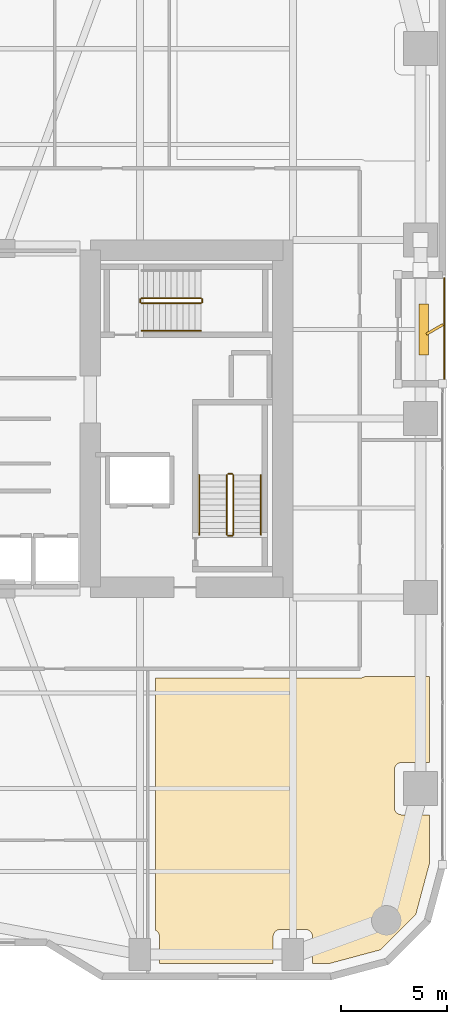
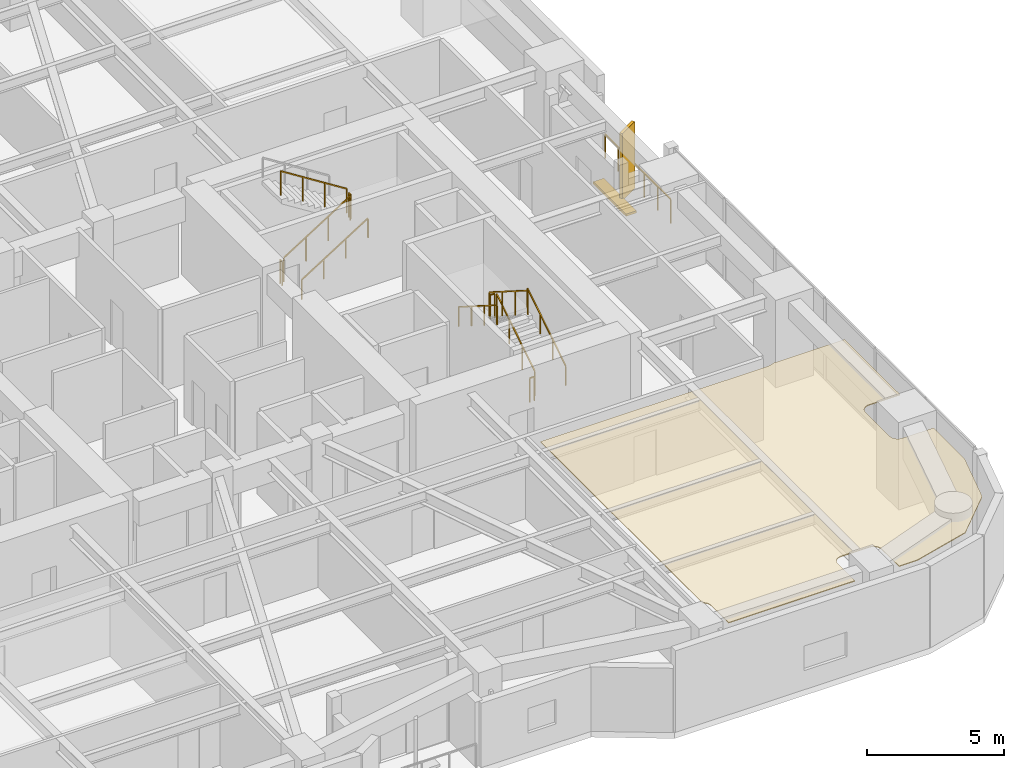
# One storey, part 23 of 24: 12 railings, 2 shading devices, 1 covering.
"""IFC4 building model written with IfcOpenShell, lengths in metres."""

from ifc_helpers import new_model, si_unit, direction, frame, origin, origin_2d, place, context, subcontext, project, spatial, polyline, rectangle, outline, extrude, material, layer, layer_set, type_object, element, save


model = new_model("IFC4")

# Units and contexts
model_context = context("Model", 3, precision=1e-05, world=origin(), true_north=direction((0.0, 1.0)))
body_context = subcontext(model_context, "Body", "Model", "MODEL_VIEW")
ifc_project = project(units=[si_unit("LENGTHUNIT", "METRE"), si_unit("AREAUNIT", "SQUARE_METRE"), si_unit("VOLUMEUNIT", "CUBIC_METRE"), si_unit("PLANEANGLEUNIT", "RADIAN"), si_unit("MASSUNIT", "GRAM", prefix="KILO")], contexts=[model_context])

# Site, building, storey
site_placement = place(None, origin())
site = spatial("IfcSite", under=ifc_project, at=site_placement, CompositionType="ELEMENT")
building_placement = place(site_placement, origin())
building = spatial("IfcBuilding", under=site, at=building_placement, Name="Kiyonajd Concourse Tower", CompositionType="ELEMENT")
storey_placement = place(building_placement, frame((0.0, 0.0, 85.800048828125)))
storey = spatial("IfcBuildingStorey", under=building, at=storey_placement, Name="L22", CompositionType="ELEMENT", Elevation=85.800048828125)

# Covering
ifc_material_1 = material(Name="Natural Oak Acoustic Timber Veneer", Category="wood")
ifc_layer = layer(ifc_material_1, 0.0400390625)
ifc_layer_set = layer_set([ifc_layer], Name="Natural Oak Acoustic Timber Veneer")
covering_type = type_object("IfcCoveringType", Name="CV-CLG-ACST", PredefinedType="CEILING", material=ifc_layer_set)
covering_placement = place(storey_placement, frame((0.0, 0.0, 3.4599609375)))
element("IfcCovering", 1, at=covering_placement, inside=storey, type_object=covering_type, Name="L22-45 Room Acoustic Ceiling", PredefinedType="CEILING", context=body_context, shape_type="SweptSolid", body=[
    extrude(outline(polyline([(57.139892578125, 11.94091796875), (57.139892578125, 23.800048828125), (66.75, 23.800048828125), (66.8798828125, 23.820068359375), (66.943115234375, 23.845947265625), (66.998046875, 23.8798828125), (70.030029296875, 23.8798828125), (70.030029296875, 19.830078125), (68.719970703125, 19.830078125), (68.652099609375, 19.822998046875), (68.5859375, 19.802978515625), (68.52587890625, 19.77099609375), (68.448974609375, 19.701904296875), (68.410888671875, 19.64501953125), (68.385009765625, 19.58203125), (68.3701171875, 19.47998046875), (68.3701171875, 17.719970703125), (68.385009765625, 17.617919921875), (68.410888671875, 17.554931640625), (68.448974609375, 17.498046875), (68.498046875, 17.448974609375), (68.554931640625, 17.410888671875), (68.617919921875, 17.385009765625), (68.68603515625, 17.3720703125), (70.030029296875, 17.3701171875), (70.030029296875, 15.10107421875), (69.385986328125, 12.697998046875), (67.701904296875, 11.013916015625), (65.299072265625, 10.3701171875), (64.530029296875, 10.3701171875), (64.528076171875, 11.6640625), (64.514892578125, 11.73193359375), (64.489013671875, 11.794921875), (64.427001953125, 11.876953125), (64.344970703125, 11.93896484375), (64.281982421875, 11.965087890625), (64.214111328125, 11.97802734375), (62.986083984375, 11.97802734375), (62.885986328125, 11.952880859375), (62.798095703125, 11.90087890625), (62.7490234375, 11.85205078125), (62.7109375, 11.794921875), (62.677001953125, 11.697998046875), (62.669921875, 11.6298828125), (62.669921875, 10.3701171875), (57.330078125, 10.3701171875), (57.327880859375, 11.6640625), (57.302978515625, 11.763916015625), (57.27099609375, 11.823974609375), (57.201904296875, 11.90087890625), (57.139892578125, 11.94091796875)])), origin(), (0.0, 0.0, 1.0), 0.0400390625),
])

# Railings
ifc_material_2 = material(Name="Thermally Broken Anodised Aluminium", Category="aluminium")
railing_type_1 = type_object("IfcRailingType", Name="RL-GRD-LOG", PredefinedType="GUARDRAIL", material=ifc_material_2)
railing_1_placement = place(storey_placement, frame((70.719970703125, 37.800048828125, 0.0)))
element("IfcRailing", 2, at=railing_1_placement, inside=storey, type_object=railing_type_1, Name="L22 Engawa Loggia Perimeter Guard LOG-E", PredefinedType="GUARDRAIL", context=body_context, shape_type="SweptSolid", body=[
    extrude(rectangle(XDim=0.048095703125, YDim=0.048095703125, at=origin_2d()), frame((0.0, 0.0, 1.076171875), z_axis=(0.0, 1.0, 0.0), x_axis=(-1.0, 0.0, 0.0)), (0.0, 0.0, 1.0), 4.800048828125),
    extrude(rectangle(XDim=0.0419921875, YDim=0.0419921875, at=origin_2d()), origin(), (0.0, 0.0, 1.0), 1.052001953125),
    extrude(rectangle(XDim=0.0419921875, YDim=0.0419921875, at=origin_2d()), frame((0.0, 0.9599609375, 0.0)), (0.0, 0.0, 1.0), 1.052001953125),
    extrude(rectangle(XDim=0.0419921875, YDim=0.0419921875, at=origin_2d()), frame((0.0, 1.919921875, 0.0)), (0.0, 0.0, 1.0), 1.052001953125),
    extrude(rectangle(XDim=0.0419921875, YDim=0.0419921875, at=origin_2d()), frame((0.0, 2.880126953125, 0.0)), (0.0, 0.0, 1.0), 1.052001953125),
    extrude(rectangle(XDim=0.0419921875, YDim=0.0419921875, at=origin_2d()), frame((0.0, 3.840087890625, 0.0)), (0.0, 0.0, 1.0), 1.052001953125),
    extrude(rectangle(XDim=0.0419921875, YDim=0.0419921875, at=origin_2d()), frame((0.0, 4.800048828125, 0.0)), (0.0, 0.0, 1.0), 1.052001953125),
])
ifc_material_3 = material(Name="Steel ASTM A500 Grade C", Category="steel")
railing_type_2 = type_object("IfcRailingType", Name="RL-GRD-STR", PredefinedType="GUARDRAIL", material=ifc_material_3)
railing_2_placement = place(storey_placement, frame((60.800048828125, 30.550048828125, 0.17724609375)))
element("IfcRailing", 3, at=railing_2_placement, inside=storey, type_object=railing_type_2, Name="L22 ST2 stair guard 1", PredefinedType="GUARDRAIL", context=body_context, shape_type="SweptSolid", body=[
    extrude(rectangle(XDim=0.048095703125, YDim=0.048095703125, at=origin_2d()), frame((0.0, 0.0, 1.076171875), z_axis=(0.0, 0.844908973607, 0.534910110503), x_axis=(-1.0, 0.0, 0.0)), (0.0, 0.0, 1.0), 3.31396484375),
    extrude(rectangle(XDim=0.0419921875, YDim=0.0419921875, at=origin_2d()), origin(), (0.0, 0.0, 1.0), 1.052001953125),
    extrude(rectangle(XDim=0.0419921875, YDim=0.0419921875, at=origin_2d()), frame((0.0, 0.933349609375, 0.5908203125)), (0.0, 0.0, 1.0), 1.052001953125),
    extrude(rectangle(XDim=0.0419921875, YDim=0.0419921875, at=origin_2d()), frame((0.0, 1.86669921875, 1.181884765625)), (0.0, 0.0, 1.0), 1.052001953125),
    extrude(rectangle(XDim=0.0419921875, YDim=0.0419921875, at=origin_2d()), frame((0.0, 2.800048828125, 1.772705078125)), (0.0, 0.0, 1.0), 1.052001953125),
])
railing_3_placement = place(storey_placement, frame((60.75, 33.39990234375, 1.949951171875)))
element("IfcRailing", 4, at=railing_3_placement, inside=storey, type_object=railing_type_2, Name="L22 ST2 stair guard 2", PredefinedType="GUARDRAIL", context=body_context, shape_type="SweptSolid", body=[
    extrude(rectangle(XDim=0.048095703125, YDim=0.048095703125, at=origin_2d()), frame((0.0, 0.0, 1.076171875), z_axis=(-1.0, 0.0, 0.0), x_axis=(0.0, -1.0, 0.0)), (0.0, 0.0, 1.0), 0.199951171875),
    extrude(rectangle(XDim=0.0419921875, YDim=0.0419921875, at=origin_2d()), origin(), (0.0, 0.0, 1.0), 1.052001953125),
    extrude(rectangle(XDim=0.0419921875, YDim=0.0419921875, at=origin_2d()), frame((-0.199951171875, 0.0, 0.0)), (0.0, 0.0, 1.0), 1.052001953125),
])
railing_4_placement = place(storey_placement, frame((60.5, 33.35009765625, 2.127197265625)))
element("IfcRailing", 5, at=railing_4_placement, inside=storey, type_object=railing_type_2, Name="L22 ST2 stair guard 3", PredefinedType="GUARDRAIL", context=body_context, shape_type="SweptSolid", body=[
    extrude(rectangle(XDim=0.048095703125, YDim=0.048095703125, at=origin_2d()), frame((0.0, 0.0, 1.076171875), z_axis=(0.0, -0.844908973607, 0.534910110503), x_axis=(1.0, 0.0, 0.0)), (0.0, 0.0, 1.0), 3.31396484375),
    extrude(rectangle(XDim=0.0419921875, YDim=0.0419921875, at=origin_2d()), origin(), (0.0, 0.0, 1.0), 1.052001953125),
    extrude(rectangle(XDim=0.0419921875, YDim=0.0419921875, at=origin_2d()), frame((0.0, -0.933349609375, 0.5908203125)), (0.0, 0.0, 1.0), 1.052001953125),
    extrude(rectangle(XDim=0.0419921875, YDim=0.0419921875, at=origin_2d()), frame((0.0, -1.86669921875, 1.181884765625)), (0.0, 0.0, 1.0), 1.052001953125),
    extrude(rectangle(XDim=0.0419921875, YDim=0.0419921875, at=origin_2d()), frame((0.0, -2.800048828125, 1.772705078125)), (0.0, 0.0, 1.0), 1.052001953125),
])
railing_5_placement = place(storey_placement, frame((60.75, 30.5, 0.0)))
element("IfcRailing", 6, at=railing_5_placement, inside=storey, type_object=railing_type_2, Name="L22 ST2 stair guard 4", PredefinedType="GUARDRAIL", context=body_context, shape_type="SweptSolid", body=[
    extrude(rectangle(XDim=0.048095703125, YDim=0.048095703125, at=origin_2d()), frame((0.0, 0.0, 1.076171875), z_axis=(-1.0, 0.0, 0.0), x_axis=(0.0, -1.0, 0.0)), (0.0, 0.0, 1.0), 0.199951171875),
    extrude(rectangle(XDim=0.0419921875, YDim=0.0419921875, at=origin_2d()), origin(), (0.0, 0.0, 1.0), 1.052001953125),
    extrude(rectangle(XDim=0.0419921875, YDim=0.0419921875, at=origin_2d()), frame((-0.199951171875, 0.0, 0.0)), (0.0, 0.0, 1.0), 1.052001953125),
])
railing_6_placement = place(storey_placement, frame((56.47998046875, 41.429931640625, 0.17724609375)))
element("IfcRailing", 7, at=railing_6_placement, inside=storey, type_object=railing_type_2, Name="L22 ST3 stair guard 1", PredefinedType="GUARDRAIL", context=body_context, shape_type="SweptSolid", body=[
    extrude(rectangle(XDim=0.048095703125, YDim=0.048095703125, at=origin_2d()), frame((0.0, 0.0, 1.076171875), z_axis=(0.844908973607, 0.0, 0.534910110503), x_axis=(0.0, 1.0, 0.0)), (0.0, 0.0, 1.0), 3.31396484375),
    extrude(rectangle(XDim=0.0419921875, YDim=0.0419921875, at=origin_2d()), origin(), (0.0, 0.0, 1.0), 1.052001953125),
    extrude(rectangle(XDim=0.0419921875, YDim=0.0419921875, at=origin_2d()), frame((0.933349609375, 0.0, 0.5908203125)), (0.0, 0.0, 1.0), 1.052001953125),
    extrude(rectangle(XDim=0.0419921875, YDim=0.0419921875, at=origin_2d()), frame((1.86669921875, 0.0, 1.181884765625)), (0.0, 0.0, 1.0), 1.052001953125),
    extrude(rectangle(XDim=0.0419921875, YDim=0.0419921875, at=origin_2d()), frame((2.800048828125, 0.0, 1.772705078125)), (0.0, 0.0, 1.0), 1.052001953125),
])
railing_7_placement = place(storey_placement, frame((59.330078125, 41.47998046875, 1.949951171875)))
element("IfcRailing", 8, at=railing_7_placement, inside=storey, type_object=railing_type_2, Name="L22 ST3 stair guard 2", PredefinedType="GUARDRAIL", context=body_context, shape_type="SweptSolid", body=[
    extrude(rectangle(XDim=0.048095703125, YDim=0.048095703125, at=origin_2d()), frame((0.0, 0.0, 1.076171875), z_axis=(0.0, 1.0, 0.0), x_axis=(-1.0, 0.0, 0.0)), (0.0, 0.0, 1.0), 0.14013671875),
    extrude(rectangle(XDim=0.0419921875, YDim=0.0419921875, at=origin_2d()), origin(), (0.0, 0.0, 1.0), 1.052001953125),
    extrude(rectangle(XDim=0.0419921875, YDim=0.0419921875, at=origin_2d()), frame((0.0, 0.14013671875, 0.0)), (0.0, 0.0, 1.0), 1.052001953125),
])
railing_8_placement = place(storey_placement, frame((59.280029296875, 41.669921875, 2.127197265625)))
element("IfcRailing", 9, at=railing_8_placement, inside=storey, type_object=railing_type_2, Name="L22 ST3 stair guard 3", PredefinedType="GUARDRAIL", context=body_context, shape_type="SweptSolid", body=[
    extrude(rectangle(XDim=0.048095703125, YDim=0.048095703125, at=origin_2d()), frame((0.0, 0.0, 1.076171875), z_axis=(-0.844908973607, 0.0, 0.534910110503), x_axis=(0.0, -1.0, 0.0)), (0.0, 0.0, 1.0), 3.31396484375),
    extrude(rectangle(XDim=0.0419921875, YDim=0.0419921875, at=origin_2d()), origin(), (0.0, 0.0, 1.0), 1.052001953125),
    extrude(rectangle(XDim=0.0419921875, YDim=0.0419921875, at=origin_2d()), frame((-0.933349609375, 0.0, 0.5908203125)), (0.0, 0.0, 1.0), 1.052001953125),
    extrude(rectangle(XDim=0.0419921875, YDim=0.0419921875, at=origin_2d()), frame((-1.86669921875, 0.0, 1.181884765625)), (0.0, 0.0, 1.0), 1.052001953125),
    extrude(rectangle(XDim=0.0419921875, YDim=0.0419921875, at=origin_2d()), frame((-2.800048828125, 0.0, 1.772705078125)), (0.0, 0.0, 1.0), 1.052001953125),
])
railing_9_placement = place(storey_placement, frame((56.429931640625, 41.47998046875, 0.0)))
element("IfcRailing", 10, at=railing_9_placement, inside=storey, type_object=railing_type_2, Name="L22 ST3 stair guard 4", PredefinedType="GUARDRAIL", context=body_context, shape_type="SweptSolid", body=[
    extrude(rectangle(XDim=0.048095703125, YDim=0.048095703125, at=origin_2d()), frame((0.0, 0.0, 1.076171875), z_axis=(0.0, 1.0, 0.0), x_axis=(-1.0, 0.0, 0.0)), (0.0, 0.0, 1.0), 0.14013671875),
    extrude(rectangle(XDim=0.0419921875, YDim=0.0419921875, at=origin_2d()), origin(), (0.0, 0.0, 1.0), 1.052001953125),
    extrude(rectangle(XDim=0.0419921875, YDim=0.0419921875, at=origin_2d()), frame((0.0, 0.14013671875, 0.0)), (0.0, 0.0, 1.0), 1.052001953125),
])
ifc_material_4 = material(Name="Brushed Stainless Steel Cab Assembly", Category="steel")
railing_type_3 = type_object("IfcRailingType", Name="RL-HND-900", PredefinedType="HANDRAIL", material=ifc_material_4)
railing_10_placement = place(storey_placement, frame((62.10009765625, 30.550048828125, 0.17724609375)))
element("IfcRailing", 11, at=railing_10_placement, inside=storey, type_object=railing_type_3, Name="L22 ST2 stair handrail 1", PredefinedType="HANDRAIL", context=body_context, shape_type="SweptSolid", body=[
    extrude(rectangle(XDim=0.048095703125, YDim=0.048095703125, at=origin_2d()), frame((0.0, 0.0, 0.8759765625), z_axis=(0.0, 0.844908973607, 0.534910110503), x_axis=(-1.0, 0.0, 0.0)), (0.0, 0.0, 1.0), 3.31396484375),
    extrude(rectangle(XDim=0.0419921875, YDim=0.0419921875, at=origin_2d()), origin(), (0.0, 0.0, 1.0), 0.851806640625),
    extrude(rectangle(XDim=0.0419921875, YDim=0.0419921875, at=origin_2d()), frame((0.0, 0.933349609375, 0.5908203125)), (0.0, 0.0, 1.0), 0.851806640625),
    extrude(rectangle(XDim=0.0419921875, YDim=0.0419921875, at=origin_2d()), frame((0.0, 1.86669921875, 1.181884765625)), (0.0, 0.0, 1.0), 0.851806640625),
    extrude(rectangle(XDim=0.0419921875, YDim=0.0419921875, at=origin_2d()), frame((0.0, 2.800048828125, 1.772705078125)), (0.0, 0.0, 1.0), 0.851806640625),
])
railing_11_placement = place(storey_placement, frame((59.199951171875, 33.35009765625, 2.127197265625)))
element("IfcRailing", 12, at=railing_11_placement, inside=storey, type_object=railing_type_3, Name="L22 ST2 stair handrail 2", PredefinedType="HANDRAIL", context=body_context, shape_type="SweptSolid", body=[
    extrude(rectangle(XDim=0.048095703125, YDim=0.048095703125, at=origin_2d()), frame((0.0, 0.0, 0.8759765625), z_axis=(0.0, -0.844908973607, 0.534910110503), x_axis=(1.0, 0.0, 0.0)), (0.0, 0.0, 1.0), 3.31396484375),
    extrude(rectangle(XDim=0.0419921875, YDim=0.0419921875, at=origin_2d()), origin(), (0.0, 0.0, 1.0), 0.851806640625),
    extrude(rectangle(XDim=0.0419921875, YDim=0.0419921875, at=origin_2d()), frame((0.0, -0.933349609375, 0.5908203125)), (0.0, 0.0, 1.0), 0.851806640625),
    extrude(rectangle(XDim=0.0419921875, YDim=0.0419921875, at=origin_2d()), frame((0.0, -1.86669921875, 1.181884765625)), (0.0, 0.0, 1.0), 0.851806640625),
    extrude(rectangle(XDim=0.0419921875, YDim=0.0419921875, at=origin_2d()), frame((0.0, -2.800048828125, 1.772705078125)), (0.0, 0.0, 1.0), 0.851806640625),
])
railing_12_placement = place(storey_placement, frame((56.47998046875, 40.1298828125, 0.17724609375)))
element("IfcRailing", 13, at=railing_12_placement, inside=storey, type_object=railing_type_3, Name="L22 ST3 stair handrail 1", PredefinedType="HANDRAIL", context=body_context, shape_type="SweptSolid", body=[
    extrude(rectangle(XDim=0.048095703125, YDim=0.048095703125, at=origin_2d()), frame((0.0, 0.0, 0.8759765625), z_axis=(0.844908973607, 0.0, 0.534910110503), x_axis=(0.0, 1.0, 0.0)), (0.0, 0.0, 1.0), 3.31396484375),
    extrude(rectangle(XDim=0.0419921875, YDim=0.0419921875, at=origin_2d()), origin(), (0.0, 0.0, 1.0), 0.851806640625),
    extrude(rectangle(XDim=0.0419921875, YDim=0.0419921875, at=origin_2d()), frame((0.933349609375, 0.0, 0.5908203125)), (0.0, 0.0, 1.0), 0.851806640625),
    extrude(rectangle(XDim=0.0419921875, YDim=0.0419921875, at=origin_2d()), frame((1.86669921875, 0.0, 1.181884765625)), (0.0, 0.0, 1.0), 0.851806640625),
    extrude(rectangle(XDim=0.0419921875, YDim=0.0419921875, at=origin_2d()), frame((2.800048828125, 0.0, 1.772705078125)), (0.0, 0.0, 1.0), 0.851806640625),
])

# Shading devices
ifc_material_5 = material(Name="Precast concrete C50/60", Category="concrete")
shading_device_type_1 = type_object("IfcShadingDeviceType", Name="SH-FIN-900", PredefinedType="USERDEFINED", material=ifc_material_5)
shading_device_1_placement = place(storey_placement, frame((70.27001953125, 40.199951171875, 0.0), z_axis=(0.0, 0.0, 1.0), x_axis=(0.866025403784, 0.5, 0.0)))
element("IfcShadingDevice", 14, at=shading_device_1_placement, inside=storey, type_object=shading_device_type_1, Name="L22 Angled Koshi Solar Fin LOG-E", ObjectType="FIN", PredefinedType="USERDEFINED", context=body_context, shape_type="SweptSolid", body=[
    extrude(rectangle(XDim=0.89990234375, YDim=0.1201171875, at=origin_2d()), origin(), (0.0, 0.0, 1.0), 3.0),
])
shading_device_type_2 = type_object("IfcShadingDeviceType", Name="SH-LVR-600", PredefinedType="JALOUSIE", material=ifc_material_2)
shading_device_2_placement = place(storey_placement, frame((69.75, 40.199951171875, 0.0), z_axis=(0.0, 0.0, 1.0), x_axis=(0.0, 1.0, 0.0)))
element("IfcShadingDevice", 15, at=shading_device_2_placement, inside=storey, type_object=shading_device_type_2, Name="L22 Loggia Threshold Louver LOG-E", PredefinedType="JALOUSIE", context=body_context, shape_type="SweptSolid", body=[
    extrude(rectangle(XDim=2.39990234375, YDim=0.449951171875, at=origin_2d()), origin(), (0.0, 0.0, 1.0), 0.10009765625),
])

save(model, "model.ifc")
